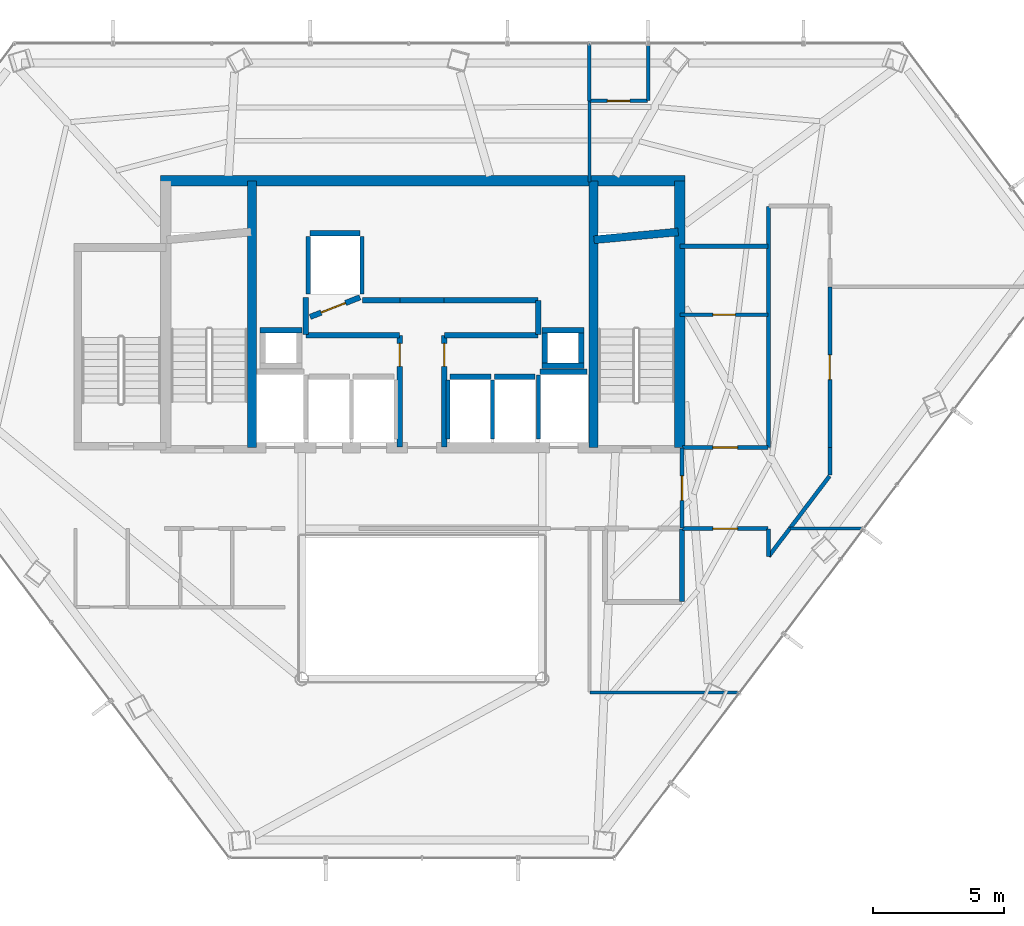
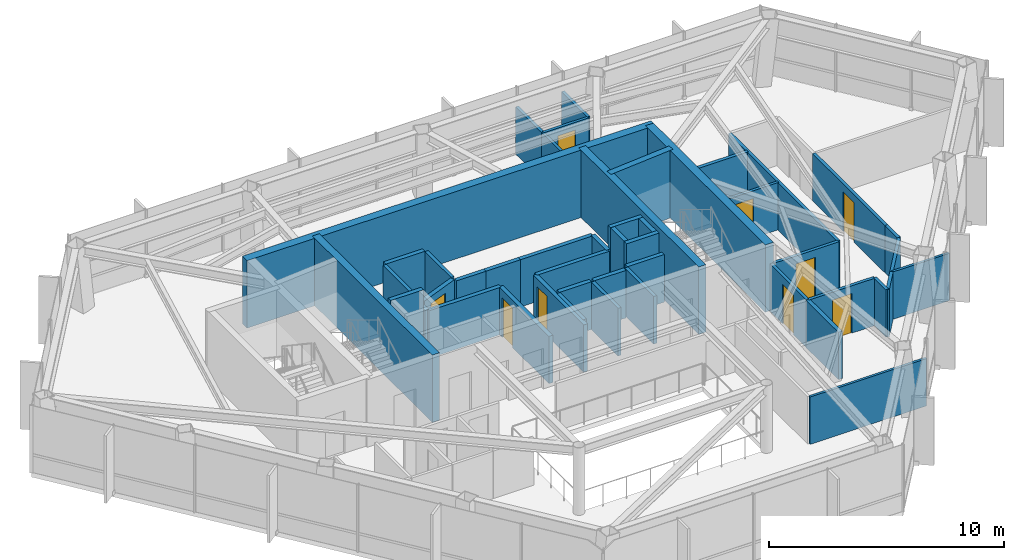
# One storey, part 25 of 27: 47 walls, 9 doors, 9 openings.
"""IFC4 building model written with IfcOpenShell, lengths in metres."""

from ifc_helpers import new_model, si_unit, direction, frame, frame_2d, origin, place, context, subcontext, project, spatial, rectangle, extrude, material, layer, layer_set, type_object, element, fill, save


model = new_model("IFC4")

# Units and contexts
model_context = context("Model", 3, precision=1e-05, world=origin(), true_north=direction((0.0, 1.0)))
body_context = subcontext(model_context, "Body", "Model", "MODEL_VIEW")
ifc_project = project(units=[si_unit("LENGTHUNIT", "METRE"), si_unit("AREAUNIT", "SQUARE_METRE"), si_unit("VOLUMEUNIT", "CUBIC_METRE"), si_unit("PLANEANGLEUNIT", "RADIAN"), si_unit("MASSUNIT", "GRAM", prefix="KILO")], contexts=[model_context])

# Site, building, storey
site_placement = place(None, origin())
site = spatial("IfcSite", under=ifc_project, at=site_placement, CompositionType="ELEMENT")
building_placement = place(site_placement, origin())
building = spatial("IfcBuilding", under=site, at=building_placement, Name="Zarrinselat Tower", CompositionType="ELEMENT")
storey_placement = place(building_placement, frame((0.0, 0.0, 183.260009765625)))
storey = spatial("IfcBuildingStorey", under=building, at=storey_placement, Name="L45", CompositionType="ELEMENT", Elevation=183.260009765625)

# Walls
ifc_material_1 = material(Name="Fire-Rated Gypsum Board Partition", Category="gypsum")
ifc_layer_1 = layer(ifc_material_1, 0.1650390625)
ifc_layer_set_1 = layer_set([ifc_layer_1], Name="Fire-Rated Gypsum Board Partition")
wall_type_1 = type_object("IfcWallType", Name="WAL-PART-DEMISE", PredefinedType="PARTITIONING", material=ifc_layer_set_1)
wall_1_placement = place(storey_placement, frame((48.27490234375, 40.9560546875, 0.0), z_axis=(0.0, 0.0, 1.0), x_axis=(1.0, 0.0, 0.0)))
element("IfcWall", 1, at=wall_1_placement, inside=storey, type_object=wall_type_1, Name="L45 Partition Wall 46", PredefinedType="PARTITIONING", context=body_context, shape_type="SweptSolid", body=[
    extrude(rectangle(XDim=3.360107421875, YDim=0.1650390625, at=frame_2d((1.68017578125, 0.0))), origin(), (0.0, 0.0, 1.0), 2.45703125),
])
ifc_material_2 = material(Name="Concrete C40/50", Category="concrete")
ifc_layer_2 = layer(ifc_material_2, 0.18994140625)
ifc_layer_set_2 = layer_set([ifc_layer_2], Name="Concrete C40/50")
wall_type_2 = type_object("IfcWallType", Name="WAL-PART-EI120", PredefinedType="PARTITIONING", material=ifc_layer_set_2)
wall_2_placement = place(storey_placement, frame((48.35009765625, 27.3701171875, 0.0), z_axis=(0.0, 0.0, 1.0), x_axis=(0.0, 1.0, 0.0)))
element("IfcWall", 2, at=wall_2_placement, inside=storey, type_object=wall_type_2, Name="L45 Partition Wall 19", PredefinedType="PARTITIONING", context=body_context, shape_type="SweptSolid", body=[
    extrude(rectangle(XDim=2.759765625, YDim=0.18994140625, at=frame_2d((1.3798828125, 0.0))), origin(), (0.0, 0.0, 1.0), 2.45703125),
])

# Wall, opening, door
ifc_material_3 = material(Name="Fire-Rated Gypsum Board Partition", Category="gypsum")
ifc_layer_3 = layer(ifc_material_3, 0.14990234375)
ifc_layer_set_3 = layer_set([ifc_layer_3], Name="Fire-Rated Gypsum Board Partition")
wall_type_3 = type_object("IfcWallType", Name="WAL-PART-EI60", PredefinedType="PARTITIONING", material=ifc_layer_set_3)
wall_3_placement = place(storey_placement, frame((48.35009765625, 30.169921875, 0.0), z_axis=(0.0, 0.0, 1.0), x_axis=(0.0, 1.0, 0.0)))
wall_3 = element("IfcWall", 3, at=wall_3_placement, inside=storey, type_object=wall_type_3, Name="L45 Partition Wall 11", PredefinedType="PARTITIONING", context=body_context, shape_type="SweptSolid", body=[
    extrude(rectangle(XDim=3.06005859375, YDim=0.14990234375, at=frame_2d((1.530029296875, 0.0))), origin(), (0.0, 0.0, 1.0), 2.45703125),
])
opening_1_placement = place(wall_3_placement, frame((1.06005859375, 0.0, 0.0)))
opening_1 = element("IfcOpeningElement", 4, at=opening_1_placement, cuts=wall_3, Name="Opening ID-04", PredefinedType="OPENING", context=body_context, shape_type="SweptSolid", body=[
    extrude(rectangle(XDim=0.93994140625, YDim=2.050048828125, at=frame_2d((0.469970703125, 1.02490234375))), frame((0.0, 0.0849609375, 0.0), z_axis=(0.0, -1.0, 0.0), x_axis=(1.0, 0.0, 0.0)), (0.0, 0.0, 1.0), 0.169921875),
])
ifc_material_4 = material(Name="Fire-Rated Gypsum Board Partition")
door_type_1 = type_object("IfcDoorType", Name="DR-INT-FD30-ENT", OperationType="NOTDEFINED", PredefinedType="DOOR", material=ifc_material_4)
door_1_placement = place(opening_1_placement, origin())
door_1 = element("IfcDoor", 5, at=door_1_placement, inside=storey, type_object=door_type_1, Name="L45 Interior Door P11", OperationType="SINGLE_SWING_RIGHT", OverallHeight=2.050048828125, OverallWidth=0.93994140625, PredefinedType="DOOR", context=body_context, shape_type="SweptSolid", body=[
    extrude(rectangle(XDim=0.93994140625, YDim=2.050048828125, at=frame_2d((0.469970703125, 1.02490234375))), frame((0.0, 0.02490234375, 0.0), z_axis=(0.0, -1.0, 0.0), x_axis=(1.0, 0.0, 0.0)), (0.0, 0.0, 1.0), 0.050048828125),
])
fill(opening_1, door_1)

# Walls
wall_4_placement = place(storey_placement, frame((51.662109375, 29.0908203125, 0.0), z_axis=(0.0, 0.0, 1.0), x_axis=(0.603847067363, 0.797100193976, 0.0)))
element("IfcWall", 6, at=wall_4_placement, inside=storey, type_object=wall_type_3, Name="L45 Partition Wall 20", PredefinedType="PARTITIONING", context=body_context, shape_type="SweptSolid", body=[
    extrude(rectangle(XDim=1.32763671875, YDim=0.14990234375, at=frame_2d((0.663818359375, 0.0))), origin(), (0.0, 0.0, 1.0), 2.45703125),
])
wall_5_placement = place(storey_placement, frame((51.64990234375, 29.0947265625, 0.0), z_axis=(0.0, 0.0, 1.0), x_axis=(0.0, 1.0, 0.0)))
element("IfcWall", 7, at=wall_5_placement, inside=storey, type_object=wall_type_3, Name="L45 Partition Wall 21", PredefinedType="PARTITIONING", context=body_context, shape_type="SweptSolid", body=[
    extrude(rectangle(XDim=1.03515625, YDim=0.14990234375, at=frame_2d((0.517578125, 0.0))), origin(), (0.0, 0.0, 1.0), 2.45703125),
])

# Wall, opening, door
wall_6_placement = place(storey_placement, frame((48.3701171875, 30.14990234375, 0.0), z_axis=(0.0, 0.0, 1.0), x_axis=(1.0, 0.0, 0.0)))
wall_6 = element("IfcWall", 8, at=wall_6_placement, inside=storey, type_object=wall_type_3, Name="L45 Partition Wall 22", PredefinedType="PARTITIONING", context=body_context, shape_type="SweptSolid", body=[
    extrude(rectangle(XDim=3.259765625, YDim=0.14990234375, at=frame_2d((1.6298828125, 0.0))), origin(), (0.0, 0.0, 1.0), 2.45703125),
])
opening_2_placement = place(wall_6_placement, frame((1.159912109375, 0.0, 0.0)))
opening_2 = element("IfcOpeningElement", 9, at=opening_2_placement, cuts=wall_6, Name="Opening ID-04", PredefinedType="OPENING", context=body_context, shape_type="SweptSolid", body=[
    extrude(rectangle(XDim=0.93994140625, YDim=2.050048828125, at=frame_2d((0.469970703125, 1.02490234375))), frame((0.0, 0.0849609375, 0.0), z_axis=(0.0, -1.0, 0.0), x_axis=(1.0, 0.0, 0.0)), (0.0, 0.0, 1.0), 0.169921875),
])
door_2_placement = place(opening_2_placement, origin())
door_2 = element("IfcDoor", 10, at=door_2_placement, inside=storey, type_object=door_type_1, Name="L45 Interior Door P22", OperationType="SINGLE_SWING_RIGHT", OverallHeight=2.050048828125, OverallWidth=0.93994140625, PredefinedType="DOOR", context=body_context, shape_type="SweptSolid", body=[
    extrude(rectangle(XDim=0.93994140625, YDim=2.050048828125, at=frame_2d((0.469970703125, 1.02490234375))), frame((0.0, 0.02490234375, 0.0), z_axis=(0.0, -1.0, 0.0), x_axis=(1.0, 0.0, 0.0)), (0.0, 0.0, 1.0), 0.050048828125),
])
fill(opening_2, door_2)

wall_7_placement = place(storey_placement, frame((54.0, 33.25, 0.0), z_axis=(0.0, 0.0, 1.0), x_axis=(0.0, 1.0, 0.0)))
wall_7 = element("IfcWall", 11, at=wall_7_placement, inside=storey, type_object=wall_type_3, Name="L45 Partition Wall 23", PredefinedType="PARTITIONING", context=body_context, shape_type="SweptSolid", body=[
    extrude(rectangle(XDim=6.151123046875, YDim=0.14990234375, at=frame_2d((3.07568359375, 0.0))), origin(), (0.0, 0.0, 1.0), 2.45703125),
])
opening_3_placement = place(wall_7_placement, frame((2.605712890625, 0.0, 0.0)))
opening_3 = element("IfcOpeningElement", 12, at=opening_3_placement, cuts=wall_7, Name="Opening ID-04", PredefinedType="OPENING", context=body_context, shape_type="SweptSolid", body=[
    extrude(rectangle(XDim=0.93994140625, YDim=2.050048828125, at=frame_2d((0.469970703125, 1.02490234375))), frame((0.0, 0.0849609375, 0.0), z_axis=(0.0, -1.0, 0.0), x_axis=(1.0, 0.0, 0.0)), (0.0, 0.0, 1.0), 0.169921875),
])
door_3_placement = place(opening_3_placement, origin())
door_3 = element("IfcDoor", 13, at=door_3_placement, inside=storey, type_object=door_type_1, Name="L45 Interior Door P23", OperationType="SINGLE_SWING_LEFT", OverallHeight=2.050048828125, OverallWidth=0.93994140625, PredefinedType="DOOR", context=body_context, shape_type="SweptSolid", body=[
    extrude(rectangle(XDim=0.93994140625, YDim=2.050048828125, at=frame_2d((0.469970703125, 1.02490234375))), frame((0.0, 0.02490234375, 0.0), z_axis=(0.0, -1.0, 0.0), x_axis=(1.0, 0.0, 0.0)), (0.0, 0.0, 1.0), 0.050048828125),
])
fill(opening_3, door_3)

# Walls
wall_8_placement = place(storey_placement, frame((54.0, 32.19677734375, 0.0), z_axis=(0.0, 0.0, 1.0), x_axis=(0.0, 1.0, 0.0)))
element("IfcWall", 14, at=wall_8_placement, inside=storey, type_object=wall_type_3, Name="L45 Partition Wall 24", PredefinedType="PARTITIONING", context=body_context, shape_type="SweptSolid", body=[
    extrude(rectangle(XDim=1.05322265625, YDim=0.14990234375, at=frame_2d((0.526611328125, 0.0))), origin(), (0.0, 0.0, 1.0), 2.45703125),
])
wall_9_placement = place(storey_placement, frame((52.467529296875, 30.154052734375, 0.0), z_axis=(0.0, 0.0, 1.0), x_axis=(0.603840884766, 0.797104877594, 0.0)))
element("IfcWall", 15, at=wall_9_placement, inside=storey, type_object=wall_type_3, Name="L45 Partition Wall 25", PredefinedType="PARTITIONING", context=body_context, shape_type="SweptSolid", body=[
    extrude(rectangle(XDim=2.517578125, YDim=0.14990234375, at=frame_2d((1.2587890625, 0.0))), origin(), (0.0, 0.0, 1.0), 2.45703125),
])
wall_10_placement = place(storey_placement, frame((51.64990234375, 33.25, 0.0), z_axis=(0.0, 0.0, 1.0), x_axis=(0.0, 1.0, 0.0)))
element("IfcWall", 16, at=wall_10_placement, inside=storey, type_object=wall_type_3, Name="L45 Partition Wall 26", PredefinedType="PARTITIONING", context=body_context, shape_type="SweptSolid", body=[
    extrude(rectangle(XDim=9.22998046875, YDim=0.14990234375, at=frame_2d((4.614990234375, 0.0))), origin(), (0.0, 0.0, 1.0), 2.45703125),
])

# Wall, opening, door
wall_11_placement = place(storey_placement, frame((48.364990234375, 33.25, 0.0), z_axis=(0.0, 0.0, 1.0), x_axis=(1.0, 0.0, 0.0)))
wall_11 = element("IfcWall", 17, at=wall_11_placement, inside=storey, type_object=wall_type_3, Name="L45 Partition Wall 29", PredefinedType="PARTITIONING", context=body_context, shape_type="SweptSolid", body=[
    extrude(rectangle(XDim=3.27001953125, YDim=0.14990234375, at=frame_2d((1.635009765625, 0.0))), origin(), (0.0, 0.0, 1.0), 2.45703125),
])
opening_4_placement = place(wall_11_placement, frame((1.1650390625, 0.0, 0.0)))
opening_4 = element("IfcOpeningElement", 18, at=opening_4_placement, cuts=wall_11, Name="Opening ID-04", PredefinedType="OPENING", context=body_context, shape_type="SweptSolid", body=[
    extrude(rectangle(XDim=0.93994140625, YDim=2.050048828125, at=frame_2d((0.469970703125, 1.02490234375))), frame((0.0, 0.0849609375, 0.0), z_axis=(0.0, -1.0, 0.0), x_axis=(1.0, 0.0, 0.0)), (0.0, 0.0, 1.0), 0.169921875),
])
door_4_placement = place(opening_4_placement, origin())
door_4 = element("IfcDoor", 19, at=door_4_placement, inside=storey, type_object=door_type_1, Name="L45 Interior Door P29", OperationType="SINGLE_SWING_LEFT", OverallHeight=2.050048828125, OverallWidth=0.93994140625, PredefinedType="DOOR", context=body_context, shape_type="SweptSolid", body=[
    extrude(rectangle(XDim=0.93994140625, YDim=2.050048828125, at=frame_2d((0.469970703125, 1.02490234375))), frame((0.0, 0.02490234375, 0.0), z_axis=(0.0, -1.0, 0.0), x_axis=(1.0, 0.0, 0.0)), (0.0, 0.0, 1.0), 0.050048828125),
])
fill(opening_4, door_4)

ifc_material_5 = material(Name="Concrete C40/50", Category="concrete")
ifc_layer_4 = layer(ifc_material_5, 0.199951171875)
ifc_layer_set_4 = layer_set([ifc_layer_4], Name="Concrete C40/50")
wall_type_4 = type_object("IfcWallType", Name="WAL-PART-PLANT", PredefinedType="PARTITIONING", material=ifc_layer_set_4)
wall_12_placement = place(storey_placement, frame((37.550048828125, 33.264892578125, 0.0), z_axis=(0.0, 0.0, 1.0), x_axis=(0.0, 1.0, 0.0)))
wall_12 = element("IfcWall", 20, at=wall_12_placement, inside=storey, type_object=wall_type_4, Name="L45 Partition Wall 1", PredefinedType="PARTITIONING", context=body_context, shape_type="SweptSolid", body=[
    extrude(rectangle(XDim=4.26513671875, YDim=0.199951171875, at=frame_2d((2.132568359375, 0.0))), origin(), (0.0, 0.0, 1.0), 2.45703125),
])
opening_5_placement = place(wall_12_placement, frame((3.092529296875, 0.0, 0.0)))
opening_5 = element("IfcOpeningElement", 21, at=opening_5_placement, cuts=wall_12, Name="Opening ID-03", PredefinedType="OPENING", context=body_context, shape_type="SweptSolid", body=[
    extrude(rectangle(XDim=0.8798828125, YDim=2.050048828125, at=frame_2d((0.43994140625, 1.02490234375))), frame((0.0, 0.10986328125, 0.0), z_axis=(0.0, -1.0, 0.0), x_axis=(1.0, 0.0, 0.0)), (0.0, 0.0, 1.0), 0.219970703125),
])
ifc_material_6 = material(Name="Steel S355J2", Category="steel")
door_type_2 = type_object("IfcDoorType", Name="DR-INT-FD60-S", OperationType="NOTDEFINED", PredefinedType="DOOR", material=ifc_material_6)
door_5_placement = place(opening_5_placement, origin())
door_5 = element("IfcDoor", 22, at=door_5_placement, inside=storey, type_object=door_type_2, Name="L45 Interior Door P1", OperationType="SINGLE_SWING_LEFT", OverallHeight=2.050048828125, OverallWidth=0.8798828125, PredefinedType="DOOR", context=body_context, shape_type="SweptSolid", body=[
    extrude(rectangle(XDim=0.8798828125, YDim=2.050048828125, at=frame_2d((0.43994140625, 1.02490234375))), frame((0.0, 0.02490234375, 0.0), z_axis=(0.0, -1.0, 0.0), x_axis=(1.0, 0.0, 0.0)), (0.0, 0.0, 1.0), 0.050048828125),
])
fill(opening_5, door_5)

# Walls
wall_13_placement = place(storey_placement, frame((33.969970703125, 37.550048828125, 0.0), z_axis=(0.0, 0.0, 1.0), x_axis=(1.0, 0.0, 0.0)))
element("IfcWall", 23, at=wall_13_placement, inside=storey, type_object=wall_type_4, Name="L45 Partition Wall 2", PredefinedType="PARTITIONING", context=body_context, shape_type="SweptSolid", body=[
    extrude(rectangle(XDim=3.56005859375, YDim=0.199951171875, at=frame_2d((1.780029296875, 0.0))), origin(), (0.0, 0.0, 1.0), 2.45703125),
])
wall_14_placement = place(storey_placement, frame((33.949951171875, 37.570068359375, 0.0), z_axis=(0.0, 0.0, 1.0), x_axis=(0.0, 1.0, 0.0)))
element("IfcWall", 24, at=wall_14_placement, inside=storey, type_object=wall_type_4, Name="L45 Partition Wall 3", PredefinedType="PARTITIONING", context=body_context, shape_type="SweptSolid", body=[
    extrude(rectangle(XDim=1.4150390625, YDim=0.199951171875, at=frame_2d((0.70751953125, 0.0))), origin(), (0.0, 0.0, 1.0), 2.45703125),
])
wall_15_placement = place(storey_placement, frame((36.114990234375, 38.889892578125, 0.0), z_axis=(0.0, 0.0, 1.0), x_axis=(1.0, 0.0, 0.0)))
element("IfcWall", 25, at=wall_15_placement, inside=storey, type_object=wall_type_4, Name="L45 Partition Wall 4", PredefinedType="PARTITIONING", context=body_context, shape_type="SweptSolid", body=[
    extrude(rectangle(XDim=1.43505859375, YDim=0.199951171875, at=frame_2d((0.717529296875, 0.0))), origin(), (0.0, 0.0, 1.0), 2.45703125),
])
wall_16_placement = place(storey_placement, frame((37.550048828125, 38.889892578125, 0.0), z_axis=(0.0, 0.0, 1.0), x_axis=(1.0, 0.0, 0.0)))
element("IfcWall", 26, at=wall_16_placement, inside=storey, type_object=wall_type_4, Name="L45 Partition Wall 5", PredefinedType="PARTITIONING", context=body_context, shape_type="SweptSolid", body=[
    extrude(rectangle(XDim=1.699951171875, YDim=0.199951171875, at=frame_2d((0.85009765625, 0.0))), origin(), (0.0, 0.0, 1.0), 2.45703125),
])
wall_17_placement = place(storey_placement, frame((39.25, 38.889892578125, 0.0), z_axis=(0.0, 0.0, 1.0), x_axis=(1.0, 0.0, 0.0)))
element("IfcWall", 27, at=wall_17_placement, inside=storey, type_object=wall_type_4, Name="L45 Partition Wall 6", PredefinedType="PARTITIONING", context=body_context, shape_type="SweptSolid", body=[
    extrude(rectangle(XDim=3.580078125, YDim=0.199951171875, at=frame_2d((1.7900390625, 0.0))), origin(), (0.0, 0.0, 1.0), 2.45703125),
])
wall_18_placement = place(storey_placement, frame((42.85009765625, 37.570068359375, 0.0), z_axis=(0.0, 0.0, 1.0), x_axis=(0.0, 1.0, 0.0)))
element("IfcWall", 28, at=wall_18_placement, inside=storey, type_object=wall_type_4, Name="L45 Partition Wall 7", PredefinedType="PARTITIONING", context=body_context, shape_type="SweptSolid", body=[
    extrude(rectangle(XDim=1.300048828125, YDim=0.199951171875, at=frame_2d((0.64990234375, 0.0))), origin(), (0.0, 0.0, 1.0), 2.45703125),
])
wall_19_placement = place(storey_placement, frame((39.27001953125, 37.550048828125, 0.0), z_axis=(0.0, 0.0, 1.0), x_axis=(1.0, 0.0, 0.0)))
element("IfcWall", 29, at=wall_19_placement, inside=storey, type_object=wall_type_4, Name="L45 Partition Wall 8", PredefinedType="PARTITIONING", context=body_context, shape_type="SweptSolid", body=[
    extrude(rectangle(XDim=3.56005859375, YDim=0.199951171875, at=frame_2d((1.780029296875, 0.0))), origin(), (0.0, 0.0, 1.0), 2.45703125),
])

# Wall, opening, door
wall_20_placement = place(storey_placement, frame((39.25, 33.264892578125, 0.0), z_axis=(0.0, 0.0, 1.0), x_axis=(0.0, 1.0, 0.0)))
wall_20 = element("IfcWall", 30, at=wall_20_placement, inside=storey, type_object=wall_type_4, Name="L45 Partition Wall 9", PredefinedType="PARTITIONING", context=body_context, shape_type="SweptSolid", body=[
    extrude(rectangle(XDim=4.26513671875, YDim=0.199951171875, at=frame_2d((2.132568359375, 0.0))), origin(), (0.0, 0.0, 1.0), 2.45703125),
])
opening_6_placement = place(wall_20_placement, frame((3.092529296875, 0.0, 0.0)))
opening_6 = element("IfcOpeningElement", 31, at=opening_6_placement, cuts=wall_20, Name="Opening ID-03", PredefinedType="OPENING", context=body_context, shape_type="SweptSolid", body=[
    extrude(rectangle(XDim=0.8798828125, YDim=2.050048828125, at=frame_2d((0.43994140625, 1.02490234375))), frame((0.0, 0.10986328125, 0.0), z_axis=(0.0, -1.0, 0.0), x_axis=(1.0, 0.0, 0.0)), (0.0, 0.0, 1.0), 0.219970703125),
])
door_6_placement = place(opening_6_placement, origin())
door_6 = element("IfcDoor", 32, at=door_6_placement, inside=storey, type_object=door_type_2, Name="L45 Interior Door P9", OperationType="SINGLE_SWING_RIGHT", OverallHeight=2.050048828125, OverallWidth=0.8798828125, PredefinedType="DOOR", context=body_context, shape_type="SweptSolid", body=[
    extrude(rectangle(XDim=0.8798828125, YDim=2.050048828125, at=frame_2d((0.43994140625, 1.02490234375))), frame((0.0, 0.02490234375, 0.0), z_axis=(0.0, -1.0, 0.0), x_axis=(1.0, 0.0, 0.0)), (0.0, 0.0, 1.0), 0.050048828125),
])
fill(opening_6, door_6)

# Walls
ifc_material_7 = material(Name="Fire-Rated Gypsum Board Partition", Category="gypsum")
ifc_layer_5 = layer(ifc_material_7, 0.1201171875)
ifc_layer_set_5 = layer_set([ifc_layer_5], Name="Fire-Rated Gypsum Board Partition")
wall_type_5 = type_object("IfcWallType", Name="WAL-PART-STD", PredefinedType="PARTITIONING", material=ifc_layer_set_5)
wall_21_placement = place(storey_placement, frame((44.820068359375, 23.882568359375, 0.0), z_axis=(0.0, 0.0, 1.0), x_axis=(1.0, 0.0, 0.0)))
element("IfcWall", 33, at=wall_21_placement, inside=storey, type_object=wall_type_5, Name="L45 Partition Wall 39", PredefinedType="PARTITIONING", context=body_context, shape_type="SweptSolid", body=[
    extrude(rectangle(XDim=5.716796875, YDim=0.1201171875, at=frame_2d((2.8583984375, 0.0))), origin(), (0.0, 0.0, 1.0), 2.45703125),
])
wall_22_placement = place(storey_placement, frame((44.800048828125, 43.4150390625, 0.0), z_axis=(0.0, 0.0, 1.0), x_axis=(0.0, 1.0, 0.0)))
element("IfcWall", 34, at=wall_22_placement, inside=storey, type_object=wall_type_5, Name="L45 Partition Wall 40", PredefinedType="PARTITIONING", context=body_context, shape_type="SweptSolid", body=[
    extrude(rectangle(XDim=3.092041015625, YDim=0.1201171875, at=frame_2d((1.5458984375, 0.0))), origin(), (0.0, 0.0, 1.0), 2.45703125),
])
wall_23_placement = place(storey_placement, frame((52.484619140625, 30.14990234375, 0.0), z_axis=(0.0, 0.0, 1.0), x_axis=(1.0, 0.0, 0.0)))
element("IfcWall", 35, at=wall_23_placement, inside=storey, type_object=wall_type_5, Name="L45 Partition Wall 42", PredefinedType="PARTITIONING", context=body_context, shape_type="SweptSolid", body=[
    extrude(rectangle(XDim=2.80029296875, YDim=0.1201171875, at=frame_2d((1.400146484375, 0.0))), origin(), (0.0, 0.0, 1.0), 2.45703125),
])
ifc_material_8 = material(Name="Fire-Rated Gypsum Board Partition", Category="gypsum")
ifc_layer_6 = layer(ifc_material_8, 0.135009765625)
ifc_layer_set_6 = layer_set([ifc_layer_6], Name="Fire-Rated Gypsum Board Partition")
wall_type_6 = type_object("IfcWallType", Name="WAL-PART-WET", PredefinedType="PARTITIONING", material=ifc_layer_set_6)
wall_24_placement = place(storey_placement, frame((44.800048828125, 46.51708984375, 0.0), z_axis=(0.0, 0.0, 1.0), x_axis=(0.0, 1.0, 0.0)))
element("IfcWall", 36, at=wall_24_placement, inside=storey, type_object=wall_type_6, Name="L45 Partition Wall 41", PredefinedType="PARTITIONING", context=body_context, shape_type="SweptSolid", body=[
    extrude(rectangle(XDim=2.190185546875, YDim=0.135009765625, at=frame_2d((1.09521484375, 0.0))), origin(), (0.0, 0.0, 1.0), 2.45703125),
])

# Wall, opening, door
wall_25_placement = place(storey_placement, frame((44.820068359375, 46.51220703125, 0.0), z_axis=(0.0, 0.0, 1.0), x_axis=(1.0, 0.0, 0.0)))
wall_25 = element("IfcWall", 37, at=wall_25_placement, inside=storey, type_object=wall_type_6, Name="L45 Partition Wall 44", PredefinedType="PARTITIONING", context=body_context, shape_type="SweptSolid", body=[
    extrude(rectangle(XDim=2.2099609375, YDim=0.135009765625, at=frame_2d((1.10498046875, 0.0))), origin(), (0.0, 0.0, 1.0), 2.45703125),
])
opening_7_placement = place(wall_25_placement, frame((0.675048828125, 0.0, 0.0)))
opening_7 = element("IfcOpeningElement", 38, at=opening_7_placement, cuts=wall_25, Name="Opening ID-06", PredefinedType="OPENING", context=body_context, shape_type="SweptSolid", body=[
    extrude(rectangle(XDim=0.860107421875, YDim=2.050048828125, at=frame_2d((0.43017578125, 1.02490234375))), frame((0.0, 0.077392578125, 0.0), z_axis=(0.0, -1.0, 0.0), x_axis=(1.0, 0.0, 0.0)), (0.0, 0.0, 1.0), 0.155029296875),
])
ifc_material_9 = material(Name="Extruded Aluminium Alloy EN AW-6063 T6", Category="aluminium")
door_type_3 = type_object("IfcDoorType", Name="DR-INT-WET-900", OperationType="NOTDEFINED", PredefinedType="DOOR", material=ifc_material_9)
door_7_placement = place(opening_7_placement, origin())
door_7 = element("IfcDoor", 39, at=door_7_placement, inside=storey, type_object=door_type_3, Name="L45 Interior Door P44", OperationType="SINGLE_SWING_RIGHT", OverallHeight=2.050048828125, OverallWidth=0.860107421875, PredefinedType="DOOR", context=body_context, shape_type="SweptSolid", body=[
    extrude(rectangle(XDim=0.860107421875, YDim=2.050048828125, at=frame_2d((0.43017578125, 1.02490234375))), frame((0.0, 0.02490234375, 0.0), z_axis=(0.0, -1.0, 0.0), x_axis=(1.0, 0.0, 0.0)), (0.0, 0.0, 1.0), 0.050048828125),
])
fill(opening_7, door_7)

# Wall
wall_26_placement = place(storey_placement, frame((47.050048828125, 46.5322265625, 0.0), z_axis=(0.0, 0.0, 1.0), x_axis=(0.0, 1.0, 0.0)))
element("IfcWall", 40, at=wall_26_placement, inside=storey, type_object=wall_type_6, Name="L45 Partition Wall 45", PredefinedType="PARTITIONING", context=body_context, shape_type="SweptSolid", body=[
    extrude(rectangle(XDim=2.175048828125, YDim=0.135009765625, at=frame_2d((1.08740234375, 0.0))), origin(), (0.0, 0.0, 1.0), 2.45703125),
])

# Wall, opening, door
wall_27_placement = place(storey_placement, frame((48.27490234375, 38.3359375, 0.0), z_axis=(0.0, 0.0, 1.0), x_axis=(1.0, 0.0, 0.0)))
wall_27 = element("IfcWall", 41, at=wall_27_placement, inside=storey, type_object=wall_type_6, Name="L45 Partition Wall 47", PredefinedType="PARTITIONING", context=body_context, shape_type="SweptSolid", body=[
    extrude(rectangle(XDim=3.360107421875, YDim=0.135009765625, at=frame_2d((1.68017578125, 0.0))), origin(), (0.0, 0.0, 1.0), 2.45703125),
])
opening_8_placement = place(wall_27_placement, frame((1.25, 0.0, 0.0)))
opening_8 = element("IfcOpeningElement", 42, at=opening_8_placement, cuts=wall_27, Name="Opening ID-06", PredefinedType="OPENING", context=body_context, shape_type="SweptSolid", body=[
    extrude(rectangle(XDim=0.860107421875, YDim=2.050048828125, at=frame_2d((0.43017578125, 1.02490234375))), frame((0.0, 0.077392578125, 0.0), z_axis=(0.0, -1.0, 0.0), x_axis=(1.0, 0.0, 0.0)), (0.0, 0.0, 1.0), 0.155029296875),
])
door_8_placement = place(opening_8_placement, origin())
door_8 = element("IfcDoor", 43, at=door_8_placement, inside=storey, type_object=door_type_3, Name="L45 Interior Door P47", OperationType="SINGLE_SWING_LEFT", OverallHeight=2.050048828125, OverallWidth=0.860107421875, PredefinedType="DOOR", context=body_context, shape_type="SweptSolid", body=[
    extrude(rectangle(XDim=0.860107421875, YDim=2.050048828125, at=frame_2d((0.43017578125, 1.02490234375))), frame((0.0, 0.02490234375, 0.0), z_axis=(0.0, -1.0, 0.0), x_axis=(1.0, 0.0, 0.0)), (0.0, 0.0, 1.0), 0.050048828125),
])
fill(opening_8, door_8)

# Walls
ifc_material_10 = material(Name="Concrete C40/50", Category="concrete")
ifc_layer_7 = layer(ifc_material_10, 0.2099609375)
ifc_layer_set_7 = layer_set([ifc_layer_7], Name="Concrete C40/50")
wall_type_7 = type_object("IfcWallType", Name="WAL-SHAFT-210", PredefinedType="SOLIDWALL", material=ifc_layer_set_7)
wall_28_placement = place(storey_placement, frame((42.919921875, 36.155029296875, 0.0), z_axis=(0.0, 0.0, 1.0), x_axis=(1.0, 0.0, 0.0)))
element("IfcWall", 44, at=wall_28_placement, inside=storey, type_object=wall_type_7, Name="L45 Lift FFL2 North Shaft Wall", PredefinedType="SOLIDWALL", context=body_context, shape_type="SweptSolid", body=[
    extrude(rectangle(XDim=1.800048828125, YDim=0.2099609375, at=frame_2d((0.89990234375, 0.0))), origin(), (0.0, 0.0, 1.0), 2.471923828125),
])
wall_29_placement = place(storey_placement, frame((42.85009765625, 33.580078125, 0.0), z_axis=(0.0, 0.0, 1.0), x_axis=(0.0, 1.0, 0.0)))
element("IfcWall", 45, at=wall_29_placement, inside=storey, type_object=wall_type_7, Name="L45 Lift FFL2 W Shaft Wall", PredefinedType="SOLIDWALL", context=body_context, shape_type="SweptSolid", body=[
    extrude(rectangle(XDim=2.449951171875, YDim=0.159912109375, at=frame_2d((1.22509765625, 0.0))), origin(), (0.0, 0.0, 1.0), 2.471923828125),
])

# Wall, opening, door
wall_30_placement = place(storey_placement, frame((34.1201171875, 38.25, 0.0), z_axis=(0.0, 0.0, 1.0), x_axis=(0.930804993012, 0.36551616241, 0.0)))
wall_30 = element("IfcWall", 46, at=wall_30_placement, inside=storey, type_object=wall_type_7, Name="L45 Lift PL7 Front Shaft Wall", PredefinedType="SOLIDWALL", context=body_context, shape_type="SweptSolid", body=[
    extrude(rectangle(XDim=2.052001953125, YDim=0.2099609375, at=frame_2d((1.02587890625, 0.0))), origin(), (0.0, 0.0, 1.0), 2.471923828125),
])
opening_9_placement = place(wall_30_placement, frame((0.455078125, 0.0, 0.0)))
opening_9 = element("IfcOpeningElement", 47, at=opening_9_placement, cuts=wall_30, Name="Opening LD-PL7", PredefinedType="OPENING", context=body_context, shape_type="SweptSolid", body=[
    extrude(rectangle(XDim=1.0, YDim=2.10009765625, at=frame_2d((0.5, 1.050048828125))), frame((0.0, 0.114990234375, 0.0), z_axis=(0.0, -1.0, 0.0), x_axis=(1.0, 0.0, 0.0)), (0.0, 0.0, 1.0), 0.22998046875),
])
ifc_material_11 = material(Name="Steel S355J2", Category="steel")
door_type_4 = type_object("IfcDoorType", Name="DR-LIFT-PS-1000", OperationType="NOTDEFINED", PredefinedType="DOOR", material=ifc_material_11)
door_9_placement = place(opening_9_placement, origin())
door_9 = element("IfcDoor", 48, at=door_9_placement, inside=storey, type_object=door_type_4, Name="L45 Lift PL7 Sliding Landing Door", OperationType="SLIDING_TO_LEFT", OverallHeight=2.10009765625, OverallWidth=1.0, PredefinedType="DOOR", context=body_context, shape_type="SweptSolid", body=[
    extrude(rectangle(XDim=1.0, YDim=2.10009765625, at=frame_2d((0.5, 1.050048828125))), frame((0.0, 0.02490234375, 0.0), z_axis=(0.0, -1.0, 0.0), x_axis=(1.0, 0.0, 0.0)), (0.0, 0.0, 1.0), 0.050048828125),
])
fill(opening_9, door_9)

# Walls
wall_31_placement = place(storey_placement, frame((34.1201171875, 41.455078125, 0.0), z_axis=(0.0, 0.0, 1.0), x_axis=(1.0, 0.0, 0.0)))
element("IfcWall", 49, at=wall_31_placement, inside=storey, type_object=wall_type_7, Name="L45 Lift PL7 Rear Shaft Wall", PredefinedType="SOLIDWALL", context=body_context, shape_type="SweptSolid", body=[
    extrude(rectangle(XDim=1.909912109375, YDim=0.2099609375, at=frame_2d((0.955078125, 0.0))), origin(), (0.0, 0.0, 1.0), 2.471923828125),
])
for number, where, z_axis, x_axis, name in (
    (50, (34.050048828125, 39.1201171875, 0.0), (0.0, 0.0, 1.0), (0.0, 1.0, 0.0), "L45 Lift PL7 W Shaft Wall"),
    (51, (36.10009765625, 39.1201171875, 0.0), (0.0, 0.0, 1.0), (0.0, 1.0, 0.0), "L45 Lift PL7 E Shaft Wall"),
):
    element("IfcWall", number, at=place(storey_placement, frame(where, z_axis=z_axis, x_axis=x_axis)), inside=storey, type_object=wall_type_7, Name=name, PredefinedType="SOLIDWALL", context=body_context, shape_type="SweptSolid", body=[
        extrude(rectangle(XDim=2.2099609375, YDim=0.159912109375, at=frame_2d((1.10498046875, 0.0))), origin(), (0.0, 0.0, 1.0), 2.471923828125),
    ])
wall_32_placement = place(storey_placement, frame((39.469970703125, 35.955078125, 0.0), z_axis=(0.0, 0.0, 1.0), x_axis=(1.0, 0.0, 0.0)))
element("IfcWall", 52, at=wall_32_placement, inside=storey, type_object=wall_type_7, Name="L45 Lift PL8 North Shaft Wall", PredefinedType="SOLIDWALL", context=body_context, shape_type="SweptSolid", body=[
    extrude(rectangle(XDim=1.56005859375, YDim=0.2099609375, at=frame_2d((0.780029296875, 0.0))), origin(), (0.0, 0.0, 1.0), 2.471923828125),
])
for number, where, z_axis, x_axis, name in (
    (53, (39.39990234375, 33.580078125, 0.0), (0.0, 0.0, 1.0), (0.0, 1.0, 0.0), "L45 Lift PL8 W Shaft Wall"),
    (54, (41.10009765625, 33.580078125, 0.0), (0.0, 0.0, 1.0), (0.0, 1.0, 0.0), "L45 Lift PL8 E Shaft Wall"),
):
    element("IfcWall", number, at=place(storey_placement, frame(where, z_axis=z_axis, x_axis=x_axis)), inside=storey, type_object=wall_type_7, Name=name, PredefinedType="SOLIDWALL", context=body_context, shape_type="SweptSolid", body=[
        extrude(rectangle(XDim=2.25, YDim=0.159912109375, at=frame_2d((1.125, 0.0))), origin(), (0.0, 0.0, 1.0), 2.471923828125),
    ])
wall_33_placement = place(storey_placement, frame((41.169921875, 35.955078125, 0.0), z_axis=(0.0, 0.0, 1.0), x_axis=(1.0, 0.0, 0.0)))
element("IfcWall", 55, at=wall_33_placement, inside=storey, type_object=wall_type_7, Name="L45 Lift PL9 North Shaft Wall", PredefinedType="SOLIDWALL", context=body_context, shape_type="SweptSolid", body=[
    extrude(rectangle(XDim=1.56005859375, YDim=0.2099609375, at=frame_2d((0.780029296875, 0.0))), origin(), (0.0, 0.0, 1.0), 2.471923828125),
])
for number, where, z_axis, x_axis, name in (
    (56, (32.2099609375, 37.7451171875, 0.0), (0.0, 0.0, 1.0), (1.0, 0.0, 0.0), "L45 Core Riser RSR-W N Shaft Wall"),
    (57, (42.989990234375, 36.375, 0.0), (0.0, 0.0, 1.0), (1.0, 0.0, 0.0), "L45 Core Riser RSR-E S Shaft Wall"),
    (58, (42.989990234375, 37.7451171875, 0.0), (0.0, 0.0, 1.0), (1.0, 0.0, 0.0), "L45 Core Riser RSR-E N Shaft Wall"),
):
    element("IfcWall", number, at=place(storey_placement, frame(where, z_axis=z_axis, x_axis=x_axis)), inside=storey, type_object=wall_type_7, Name=name, PredefinedType="SOLIDWALL", context=body_context, shape_type="SweptSolid", body=[
        extrude(rectangle(XDim=1.60009765625, YDim=0.2099609375, at=frame_2d((0.800048828125, 0.0))), origin(), (0.0, 0.0, 1.0), 3.5),
    ])
for number, where, z_axis, x_axis, name in (
    (59, (43.094970703125, 36.485107421875, 0.0), (0.0, 0.0, 1.0), (0.0, 1.0, 0.0), "L45 Core Riser RSR-E W Shaft Wall"),
    (60, (44.485107421875, 36.485107421875, 0.0), (0.0, 0.0, 1.0), (0.0, 1.0, 0.0), "L45 Core Riser RSR-E E Shaft Wall"),
):
    element("IfcWall", number, at=place(storey_placement, frame(where, z_axis=z_axis, x_axis=x_axis)), inside=storey, type_object=wall_type_7, Name=name, PredefinedType="SOLIDWALL", context=body_context, shape_type="SweptSolid", body=[
        extrude(rectangle(XDim=1.14990234375, YDim=0.2099609375, at=frame_2d((0.574951171875, 0.0))), origin(), (0.0, 0.0, 1.0), 3.5),
    ])
ifc_material_12 = material(Name="Concrete C40/50", Category="concrete")
ifc_layer_8 = layer(ifc_material_12, 0.300048828125)
ifc_layer_set_8 = layer_set([ifc_layer_8], Name="Concrete C40/50")
wall_type_8 = type_object("IfcWallType", Name="WAL-SHEAR-300", PredefinedType="SHEAR", material=ifc_layer_set_8)
wall_34_placement = place(storey_placement, frame((44.97998046875, 41.199951171875, 0.0), z_axis=(0.0, 0.0, 1.0), x_axis=(0.995686468965, 0.09278176286, 0.0)))
element("IfcWall", 61, at=wall_34_placement, inside=storey, type_object=wall_type_8, Name="L45 Stair 2 North Shaft Wall", PredefinedType="SHEAR", context=body_context, shape_type="SweptSolid", body=[
    extrude(rectangle(XDim=3.23388671875, YDim=0.300048828125, at=frame_2d((1.616943359375, 0.0))), origin(), (0.0, 0.0, 1.0), 3.5),
])
ifc_material_13 = material(Name="Concrete C50/60", Category="concrete")
ifc_layer_9 = layer(ifc_material_13, 0.35009765625)
ifc_layer_set_9 = layer_set([ifc_layer_9], Name="Concrete C50/60")
wall_type_9 = type_object("IfcWallType", Name="WAL-SHEAR-350", PredefinedType="SHEAR", material=ifc_layer_set_9)
for number, where, z_axis, x_axis, name in (
    (62, (31.89501953125, 33.25, 0.0), (0.0, 0.0, 1.0), (0.0, 1.0, 0.0), "L45 Core Shear Wall ST1E"),
    (63, (44.965087890625, 33.25, 0.0), (0.0, 0.0, 1.0), (0.0, 1.0, 0.0), "L45 Core Shear Wall ST2W"),
):
    element("IfcWall", number, at=place(storey_placement, frame(where, z_axis=z_axis, x_axis=x_axis)), inside=storey, type_object=wall_type_9, Name=name, PredefinedType="SHEAR", context=body_context, shape_type="SweptSolid", body=[
        extrude(rectangle(XDim=10.199951171875, YDim=0.35009765625, at=frame_2d((5.10009765625, 0.0))), origin(), (0.0, 0.0, 1.0), 3.5),
    ])
ifc_material_14 = material(Name="Concrete C60/75", Category="concrete")
ifc_layer_10 = layer(ifc_material_14, 0.39990234375)
ifc_layer_set_10 = layer_set([ifc_layer_10], Name="Concrete C60/75")
wall_type_10 = type_object("IfcWallType", Name="WAL-SHEAR-400", PredefinedType="SHEAR", material=ifc_layer_set_10)
wall_35_placement = place(storey_placement, frame((28.39990234375, 43.449951171875, 0.0), z_axis=(0.0, 0.0, 1.0), x_axis=(1.0, 0.0, 0.0)))
element("IfcWall", 64, at=wall_35_placement, inside=storey, type_object=wall_type_10, Name="L45 North Core Shear Wall", PredefinedType="SHEAR", context=body_context, shape_type="SweptSolid", body=[
    extrude(rectangle(XDim=20.06005859375, YDim=0.39990234375, at=frame_2d((10.030029296875, 0.0))), origin(), (0.0, 0.0, 1.0), 3.5),
])
wall_36_placement = place(storey_placement, frame((48.260009765625, 33.25, 0.0), z_axis=(0.0, 0.0, 1.0), x_axis=(0.0, 1.0, 0.0)))
element("IfcWall", 65, at=wall_36_placement, inside=storey, type_object=wall_type_10, Name="L45 Core Shear Wall E", PredefinedType="SHEAR", context=body_context, shape_type="SweptSolid", body=[
    extrude(rectangle(XDim=10.199951171875, YDim=0.39990234375, at=frame_2d((5.10009765625, 0.0))), origin(), (0.0, 0.0, 1.0), 3.5),
])

save(model, "model.ifc")
